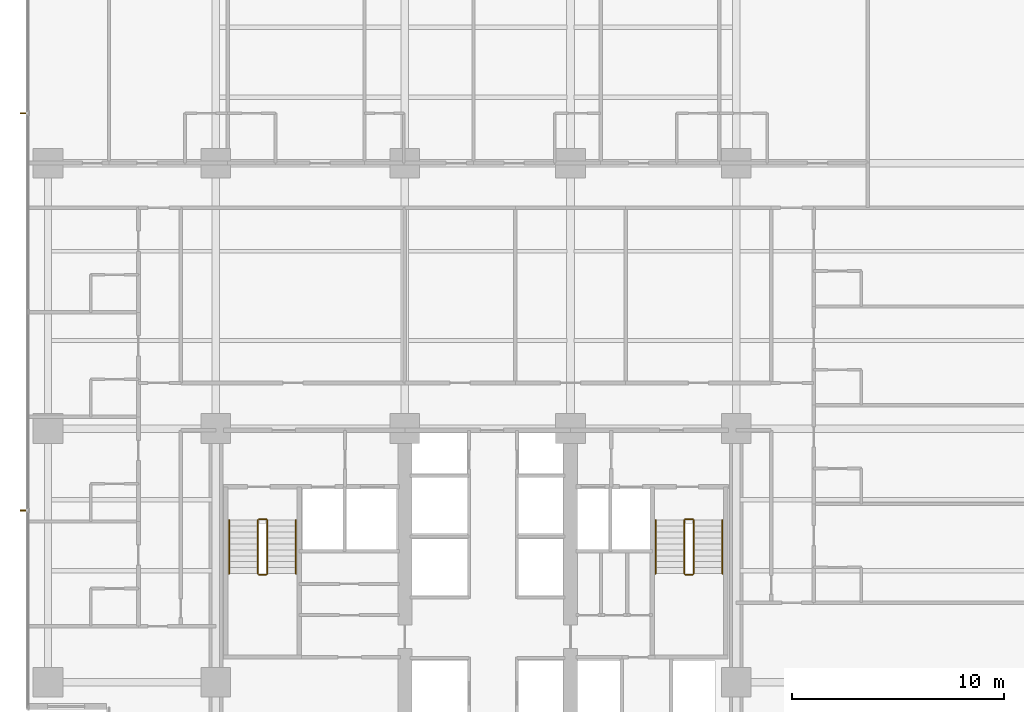
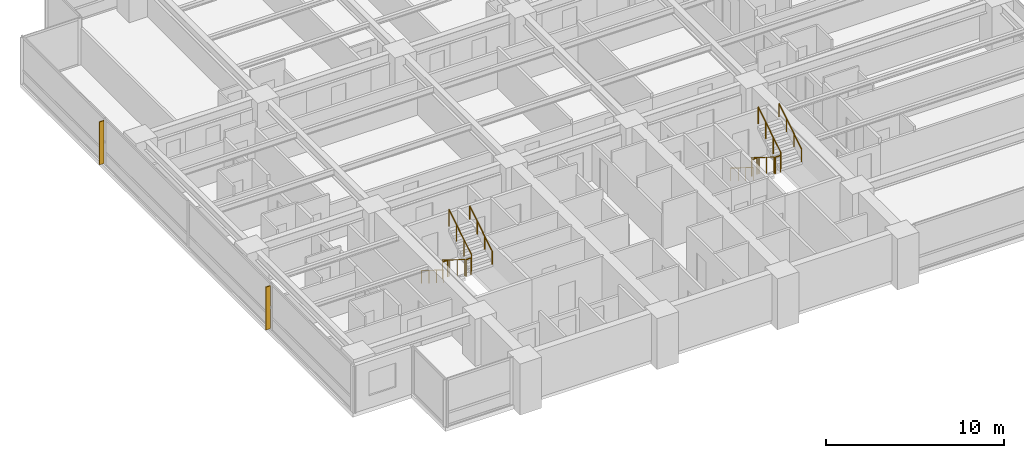
# One storey, part 16 of 18: 12 railings, 2 shading devices.
"""IFC4 building model written with IfcOpenShell, lengths in metres."""

from ifc_helpers import new_model, si_unit, direction, frame, origin, origin_2d, place, context, subcontext, project, spatial, polyline, circle, outline, extrude, material, layer, layer_set, type_object, element, save


model = new_model("IFC4")

# Units and contexts
model_context = context("Model", 3, precision=1e-05, world=origin(), true_north=direction((0.0, 1.0)))
body_context = subcontext(model_context, "Body", "Model", "MODEL_VIEW")
ifc_project = project(units=[si_unit("LENGTHUNIT", "METRE"), si_unit("AREAUNIT", "SQUARE_METRE"), si_unit("VOLUMEUNIT", "CUBIC_METRE"), si_unit("PLANEANGLEUNIT", "RADIAN"), si_unit("MASSUNIT", "GRAM", prefix="KILO")], contexts=[model_context])

# Site, building, storey
site_placement = place(None, origin())
site = spatial("IfcSite", under=ifc_project, at=site_placement, CompositionType="ELEMENT")
building_placement = place(site_placement, origin())
building = spatial("IfcBuilding", under=site, at=building_placement, Name="Qalmaran Belvedere Hotel", CompositionType="ELEMENT")
storey_placement = place(building_placement, frame((0.0, 0.0, 54.39990234375)))
storey = spatial("IfcBuildingStorey", under=building, at=storey_placement, Name="L13", CompositionType="ELEMENT", Elevation=54.39990234375)

# Shading devices
ifc_material_1 = material(Name="Anodised Bronze Aluminium", Category="aluminium")
ifc_layer = layer(ifc_material_1, 0.06494140625, Name="Anodised Bronze Aluminium")
ifc_layer_set = layer_set([ifc_layer], Name="Anodised Bronze Aluminium")
shading_device_type = type_object("IfcShadingDeviceType", Name="FIN-BRNZ-300", PredefinedType="USERDEFINED", material=ifc_layer_set)
shading_device_1_placement = place(storey_placement, frame((0.0, 0.0, 0.16015625)))
element("IfcShadingDevice", 1, at=shading_device_1_placement, inside=storey, type_object=shading_device_type, Name="L13 Bronze Fin 1", ObjectType="FIN", PredefinedType="USERDEFINED", context=body_context, shape_type="SweptSolid", body=[
    extrude(outline(polyline([(11.37744140625, 35.382568359375), (11.077392578125, 35.382568359375), (11.077392578125, 35.3173828125), (11.37744140625, 35.3173828125), (11.37744140625, 35.382568359375)])), origin(), (0.0, 0.0, 1.0), 2.93994140625),
])
shading_device_2_placement = place(storey_placement, frame((0.0, 0.0, 0.16015625)))
element("IfcShadingDevice", 2, at=shading_device_2_placement, inside=storey, type_object=shading_device_type, Name="L13 Bronze Fin 3", ObjectType="FIN", PredefinedType="USERDEFINED", context=body_context, shape_type="SweptSolid", body=[
    extrude(outline(polyline([(11.37744140625, 16.6826171875), (11.077392578125, 16.6826171875), (11.077392578125, 16.617431640625), (11.37744140625, 16.617431640625), (11.37744140625, 16.6826171875)])), origin(), (0.0, 0.0, 1.0), 2.93994140625),
])

# Railings
ifc_material_2 = material(Name="Stainless Steel 1.4401", Category="steel")
railing_type_1 = type_object("IfcRailingType", Name="RLG-STAIR-GUARD-1150", PredefinedType="GUARDRAIL", material=ifc_material_2)
railing_1_placement = place(storey_placement, frame((22.280029296875, 16.18994140625, 0.175048828125)))
element("IfcRailing", 3, at=railing_1_placement, inside=storey, type_object=railing_type_1, Name="L13 ST-1 stair guard 1", PredefinedType="GUARDRAIL", context=body_context, shape_type="SweptSolid", body=[
    extrude(circle(Radius=0.02392578125, at=origin_2d()), frame((0.0, 0.0, 1.1259765625), z_axis=(0.0, -0.848007534815, 0.529984170421), x_axis=(1.0, 0.0, 0.0)), (0.0, 0.0, 1.0), 2.9716796875),
    extrude(circle(Radius=0.02099609375, at=origin_2d()), origin(), (0.0, 0.0, 1.0), 1.101806640625),
    extrude(circle(Radius=0.02099609375, at=origin_2d()), frame((0.0, -0.840087890625, 0.52490234375)), (0.0, 0.0, 1.0), 1.101806640625),
    extrude(circle(Radius=0.02099609375, at=origin_2d()), frame((0.0, -1.679931640625, 1.050048828125)), (0.0, 0.0, 1.0), 1.101806640625),
    extrude(circle(Radius=0.02099609375, at=origin_2d()), frame((0.0, -2.52001953125, 1.574951171875)), (0.0, 0.0, 1.0), 1.101806640625),
])
railing_2_placement = place(storey_placement, frame((22.330078125, 13.6201171875, 1.75)))
element("IfcRailing", 4, at=railing_2_placement, inside=storey, type_object=railing_type_1, Name="L13 ST-1 stair guard 2", PredefinedType="GUARDRAIL", context=body_context, shape_type="SweptSolid", body=[
    extrude(circle(Radius=0.02392578125, at=origin_2d()), frame((0.0, 0.0, 1.1259765625), z_axis=(1.0, 0.0, 0.0), x_axis=(0.0, 1.0, 0.0)), (0.0, 0.0, 1.0), 0.33984375),
    extrude(circle(Radius=0.02099609375, at=origin_2d()), origin(), (0.0, 0.0, 1.0), 1.101806640625),
    extrude(circle(Radius=0.02099609375, at=origin_2d()), frame((0.33984375, 0.0, 0.0)), (0.0, 0.0, 1.0), 1.101806640625),
])
railing_3_placement = place(storey_placement, frame((22.719970703125, 13.669921875, 1.925048828125)))
element("IfcRailing", 5, at=railing_3_placement, inside=storey, type_object=railing_type_1, Name="L13 ST-1 stair guard 3", PredefinedType="GUARDRAIL", context=body_context, shape_type="SweptSolid", body=[
    extrude(circle(Radius=0.02392578125, at=origin_2d()), frame((0.0, 0.0, 1.1259765625), z_axis=(0.0, 0.848007534815, 0.529984170421), x_axis=(-1.0, 0.0, 0.0)), (0.0, 0.0, 1.0), 2.9716796875),
    extrude(circle(Radius=0.02099609375, at=origin_2d()), origin(), (0.0, 0.0, 1.0), 1.101806640625),
    extrude(circle(Radius=0.02099609375, at=origin_2d()), frame((0.0, 0.840087890625, 0.52490234375)), (0.0, 0.0, 1.0), 1.101806640625),
    extrude(circle(Radius=0.02099609375, at=origin_2d()), frame((0.0, 1.679931640625, 1.050048828125)), (0.0, 0.0, 1.0), 1.101806640625),
    extrude(circle(Radius=0.02099609375, at=origin_2d()), frame((0.0, 2.52001953125, 1.574951171875)), (0.0, 0.0, 1.0), 1.101806640625),
])
railing_4_placement = place(storey_placement, frame((22.330078125, 16.239990234375, 0.0)))
element("IfcRailing", 6, at=railing_4_placement, inside=storey, type_object=railing_type_1, Name="L13 ST-1 stair guard 4", PredefinedType="GUARDRAIL", context=body_context, shape_type="SweptSolid", body=[
    extrude(circle(Radius=0.02392578125, at=origin_2d()), frame((0.0, 0.0, 1.1259765625), z_axis=(1.0, 0.0, 0.0), x_axis=(0.0, 1.0, 0.0)), (0.0, 0.0, 1.0), 0.33984375),
    extrude(circle(Radius=0.02099609375, at=origin_2d()), origin(), (0.0, 0.0, 1.0), 1.101806640625),
    extrude(circle(Radius=0.02099609375, at=origin_2d()), frame((0.33984375, 0.0, 0.0)), (0.0, 0.0, 1.0), 1.101806640625),
])
railing_5_placement = place(storey_placement, frame((42.360107421875, 16.18994140625, 0.175048828125)))
element("IfcRailing", 7, at=railing_5_placement, inside=storey, type_object=railing_type_1, Name="L13 ST-2 stair guard 1", PredefinedType="GUARDRAIL", context=body_context, shape_type="SweptSolid", body=[
    extrude(circle(Radius=0.02392578125, at=origin_2d()), frame((0.0, 0.0, 1.1259765625), z_axis=(0.0, -0.848007534815, 0.529984170421), x_axis=(1.0, 0.0, 0.0)), (0.0, 0.0, 1.0), 2.9716796875),
    extrude(circle(Radius=0.02099609375, at=origin_2d()), origin(), (0.0, 0.0, 1.0), 1.101806640625),
    extrude(circle(Radius=0.02099609375, at=origin_2d()), frame((0.0, -0.840087890625, 0.52490234375)), (0.0, 0.0, 1.0), 1.101806640625),
    extrude(circle(Radius=0.02099609375, at=origin_2d()), frame((0.0, -1.679931640625, 1.050048828125)), (0.0, 0.0, 1.0), 1.101806640625),
    extrude(circle(Radius=0.02099609375, at=origin_2d()), frame((0.0, -2.52001953125, 1.574951171875)), (0.0, 0.0, 1.0), 1.101806640625),
])
railing_6_placement = place(storey_placement, frame((42.409912109375, 13.6201171875, 1.75)))
element("IfcRailing", 8, at=railing_6_placement, inside=storey, type_object=railing_type_1, Name="L13 ST-2 stair guard 2", PredefinedType="GUARDRAIL", context=body_context, shape_type="SweptSolid", body=[
    extrude(circle(Radius=0.02392578125, at=origin_2d()), frame((0.0, 0.0, 1.1259765625), z_axis=(1.0, 0.0, 0.0), x_axis=(0.0, 1.0, 0.0)), (0.0, 0.0, 1.0), 0.340087890625),
    extrude(circle(Radius=0.02099609375, at=origin_2d()), origin(), (0.0, 0.0, 1.0), 1.101806640625),
    extrude(circle(Radius=0.02099609375, at=origin_2d()), frame((0.340087890625, 0.0, 0.0)), (0.0, 0.0, 1.0), 1.101806640625),
])
railing_7_placement = place(storey_placement, frame((42.800048828125, 13.669921875, 1.925048828125)))
element("IfcRailing", 9, at=railing_7_placement, inside=storey, type_object=railing_type_1, Name="L13 ST-2 stair guard 3", PredefinedType="GUARDRAIL", context=body_context, shape_type="SweptSolid", body=[
    extrude(circle(Radius=0.02392578125, at=origin_2d()), frame((0.0, 0.0, 1.1259765625), z_axis=(0.0, 0.848007534815, 0.529984170421), x_axis=(-1.0, 0.0, 0.0)), (0.0, 0.0, 1.0), 2.9716796875),
    extrude(circle(Radius=0.02099609375, at=origin_2d()), origin(), (0.0, 0.0, 1.0), 1.101806640625),
    extrude(circle(Radius=0.02099609375, at=origin_2d()), frame((0.0, 0.840087890625, 0.52490234375)), (0.0, 0.0, 1.0), 1.101806640625),
    extrude(circle(Radius=0.02099609375, at=origin_2d()), frame((0.0, 1.679931640625, 1.050048828125)), (0.0, 0.0, 1.0), 1.101806640625),
    extrude(circle(Radius=0.02099609375, at=origin_2d()), frame((0.0, 2.52001953125, 1.574951171875)), (0.0, 0.0, 1.0), 1.101806640625),
])
railing_8_placement = place(storey_placement, frame((42.409912109375, 16.239990234375, 0.0)))
element("IfcRailing", 10, at=railing_8_placement, inside=storey, type_object=railing_type_1, Name="L13 ST-2 stair guard 4", PredefinedType="GUARDRAIL", context=body_context, shape_type="SweptSolid", body=[
    extrude(circle(Radius=0.02392578125, at=origin_2d()), frame((0.0, 0.0, 1.1259765625), z_axis=(1.0, 0.0, 0.0), x_axis=(0.0, 1.0, 0.0)), (0.0, 0.0, 1.0), 0.340087890625),
    extrude(circle(Radius=0.02099609375, at=origin_2d()), origin(), (0.0, 0.0, 1.0), 1.101806640625),
    extrude(circle(Radius=0.02099609375, at=origin_2d()), frame((0.340087890625, 0.0, 0.0)), (0.0, 0.0, 1.0), 1.101806640625),
])
railing_type_2 = type_object("IfcRailingType", Name="RLG-STAIR-HAND-910", PredefinedType="HANDRAIL", material=ifc_material_2)
railing_9_placement = place(storey_placement, frame((20.929931640625, 16.18994140625, 0.175048828125)))
element("IfcRailing", 11, at=railing_9_placement, inside=storey, type_object=railing_type_2, Name="L13 ST-1 stair handrail 1", PredefinedType="HANDRAIL", context=body_context, shape_type="SweptSolid", body=[
    extrude(circle(Radius=0.02392578125, at=origin_2d()), frame((0.0, 0.0, 0.8857421875), z_axis=(0.0, -0.848007534815, 0.529984170421), x_axis=(1.0, 0.0, 0.0)), (0.0, 0.0, 1.0), 2.9716796875),
    extrude(circle(Radius=0.02099609375, at=origin_2d()), origin(), (0.0, 0.0, 1.0), 0.86181640625),
    extrude(circle(Radius=0.02099609375, at=origin_2d()), frame((0.0, -0.840087890625, 0.52490234375)), (0.0, 0.0, 1.0), 0.86181640625),
    extrude(circle(Radius=0.02099609375, at=origin_2d()), frame((0.0, -1.679931640625, 1.050048828125)), (0.0, 0.0, 1.0), 0.86181640625),
    extrude(circle(Radius=0.02099609375, at=origin_2d()), frame((0.0, -2.52001953125, 1.574951171875)), (0.0, 0.0, 1.0), 0.86181640625),
])
railing_10_placement = place(storey_placement, frame((24.070068359375, 13.669921875, 1.925048828125)))
element("IfcRailing", 12, at=railing_10_placement, inside=storey, type_object=railing_type_2, Name="L13 ST-1 stair handrail 2", PredefinedType="HANDRAIL", context=body_context, shape_type="SweptSolid", body=[
    extrude(circle(Radius=0.02392578125, at=origin_2d()), frame((0.0, 0.0, 0.8857421875), z_axis=(0.0, 0.848007534815, 0.529984170421), x_axis=(-1.0, 0.0, 0.0)), (0.0, 0.0, 1.0), 2.9716796875),
    extrude(circle(Radius=0.02099609375, at=origin_2d()), origin(), (0.0, 0.0, 1.0), 0.86181640625),
    extrude(circle(Radius=0.02099609375, at=origin_2d()), frame((0.0, 0.840087890625, 0.52490234375)), (0.0, 0.0, 1.0), 0.86181640625),
    extrude(circle(Radius=0.02099609375, at=origin_2d()), frame((0.0, 1.679931640625, 1.050048828125)), (0.0, 0.0, 1.0), 0.86181640625),
    extrude(circle(Radius=0.02099609375, at=origin_2d()), frame((0.0, 2.52001953125, 1.574951171875)), (0.0, 0.0, 1.0), 0.86181640625),
])
railing_11_placement = place(storey_placement, frame((41.010009765625, 16.18994140625, 0.175048828125)))
element("IfcRailing", 13, at=railing_11_placement, inside=storey, type_object=railing_type_2, Name="L13 ST-2 stair handrail 1", PredefinedType="HANDRAIL", context=body_context, shape_type="SweptSolid", body=[
    extrude(circle(Radius=0.02392578125, at=origin_2d()), frame((0.0, 0.0, 0.8857421875), z_axis=(0.0, -0.848007534815, 0.529984170421), x_axis=(1.0, 0.0, 0.0)), (0.0, 0.0, 1.0), 2.9716796875),
    extrude(circle(Radius=0.02099609375, at=origin_2d()), origin(), (0.0, 0.0, 1.0), 0.86181640625),
    extrude(circle(Radius=0.02099609375, at=origin_2d()), frame((0.0, -0.840087890625, 0.52490234375)), (0.0, 0.0, 1.0), 0.86181640625),
    extrude(circle(Radius=0.02099609375, at=origin_2d()), frame((0.0, -1.679931640625, 1.050048828125)), (0.0, 0.0, 1.0), 0.86181640625),
    extrude(circle(Radius=0.02099609375, at=origin_2d()), frame((0.0, -2.52001953125, 1.574951171875)), (0.0, 0.0, 1.0), 0.86181640625),
])
railing_12_placement = place(storey_placement, frame((44.14990234375, 13.669921875, 1.925048828125)))
element("IfcRailing", 14, at=railing_12_placement, inside=storey, type_object=railing_type_2, Name="L13 ST-2 stair handrail 2", PredefinedType="HANDRAIL", context=body_context, shape_type="SweptSolid", body=[
    extrude(circle(Radius=0.02392578125, at=origin_2d()), frame((0.0, 0.0, 0.8857421875), z_axis=(0.0, 0.848007534815, 0.529984170421), x_axis=(-1.0, 0.0, 0.0)), (0.0, 0.0, 1.0), 2.9716796875),
    extrude(circle(Radius=0.02099609375, at=origin_2d()), origin(), (0.0, 0.0, 1.0), 0.86181640625),
    extrude(circle(Radius=0.02099609375, at=origin_2d()), frame((0.0, 0.840087890625, 0.52490234375)), (0.0, 0.0, 1.0), 0.86181640625),
    extrude(circle(Radius=0.02099609375, at=origin_2d()), frame((0.0, 1.679931640625, 1.050048828125)), (0.0, 0.0, 1.0), 0.86181640625),
    extrude(circle(Radius=0.02099609375, at=origin_2d()), frame((0.0, 2.52001953125, 1.574951171875)), (0.0, 0.0, 1.0), 0.86181640625),
])

save(model, "model.ifc")
